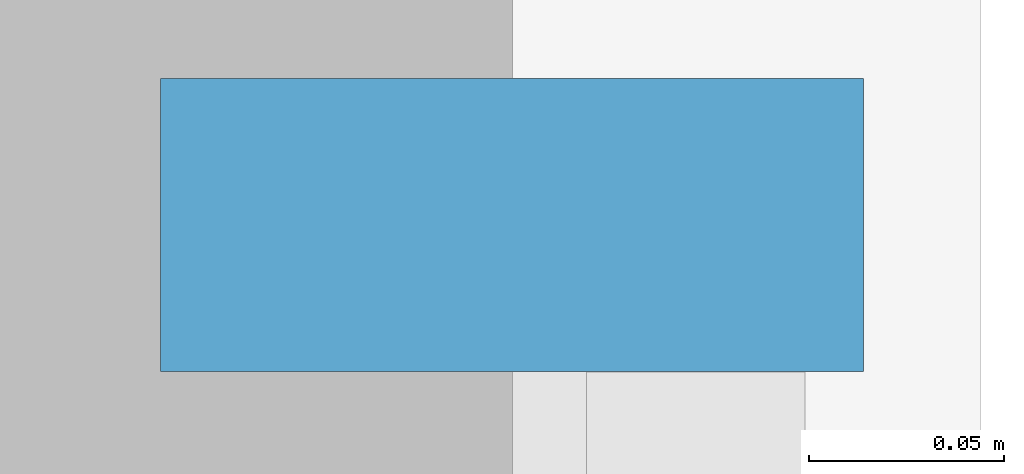
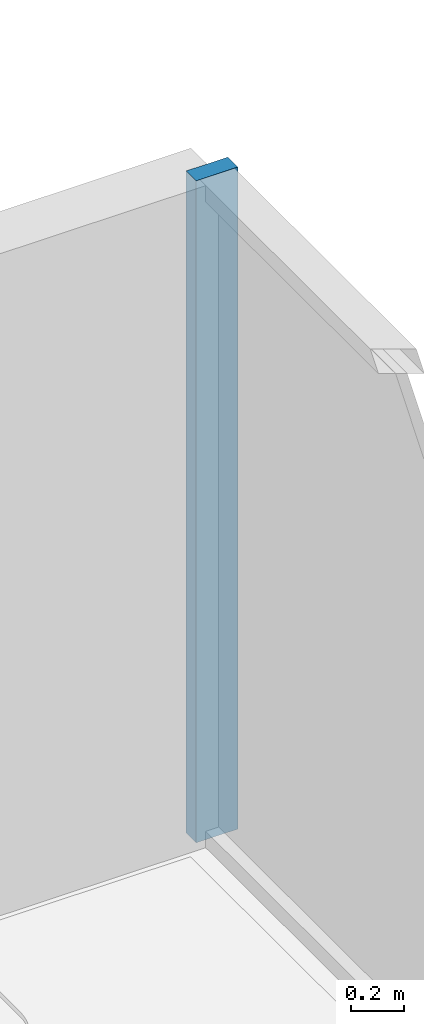
# One storey, part 6 of 13: 1 member, 1 element without a shape of its own.
"""IFC4 building model written with IfcOpenShell, lengths in metres."""

from ifc_helpers import new_model, si_unit, direction, frame, origin, origin_2d, place, context, subcontext, project, spatial, rectangle, extrude, source, transform, mapped, material, layer, layer_set, material_profile, profile_set, type_object, element, aggregate, save


model = new_model("IFC4")

# Units and contexts
model_context = context("Model", 3, precision=1e-05, world=origin(), true_north=direction((0.0, 1.0)))
body_context = subcontext(model_context, "Body", "Model", "MODEL_VIEW")
ifc_project = project(units=[si_unit("LENGTHUNIT", "METRE"), si_unit("AREAUNIT", "SQUARE_METRE"), si_unit("VOLUMEUNIT", "CUBIC_METRE"), si_unit("PLANEANGLEUNIT", "RADIAN"), si_unit("MASSUNIT", "GRAM", prefix="KILO")], contexts=[model_context])

# Site, building, storey
site_placement = place(None, origin())
site = spatial("IfcSite", under=ifc_project, at=site_placement, CompositionType="ELEMENT")
building_placement = place(site_placement, origin())
building = spatial("IfcBuilding", under=site, at=building_placement, Name="Qianlan Lanfeng Residences", CompositionType="ELEMENT")
storey_placement = place(building_placement, frame((0.0, 0.0, 182.10009765625)))
storey = spatial("IfcBuildingStorey", under=building, at=storey_placement, Name="L50", CompositionType="ELEMENT", Elevation=182.10009765625)

# Curtain wall, member
ifc_material = material(Name="Anodised Bronze Aluminium 6063-T6", Category="aluminium")
ifc_layer = layer(ifc_material, 0.219970703125)
ifc_layer_set = layer_set([ifc_layer], Name="Anodised Bronze Aluminium 6063-T6")
curtain_wall_type = type_object("IfcCurtainWallType", Name="CW-04", PredefinedType="NOTDEFINED", material=ifc_layer_set)
curtain_wall_placement = place(storey_placement, origin())
curtain_wall = element("IfcCurtainWall", 1, at=curtain_wall_placement, inside=storey, type_object=curtain_wall_type, Name="L50 Unitised Curtain Wall CWR-L50-05 (CW-04)", PredefinedType="NOTDEFINED")
ifc_material_profile = material_profile(ifc_material, rectangle(XDim=0.074951171875, YDim=0.179931640625, at=origin_2d()), Name="ALU MULLION 75x180")
ifc_profile_set = profile_set([ifc_material_profile], Name="Anodised Bronze Aluminium 6063-T6")
member_type = type_object("IfcMemberType", Name="CWM-180", PredefinedType="MULLION", material=ifc_profile_set)
shared_shape = source(origin(), body_context, "Body", "SweptSolid", [
    extrude(rectangle(XDim=0.074951171875, YDim=0.179931640625, at=origin_2d()), origin(), (0.0, 0.0, 1.0), 3.02978515625),
])
member_placement = place(storey_placement, frame((48.679931640625, 35.892578125, 0.0), z_axis=(0.0, 0.0, 1.0), x_axis=(0.0, 1.0, 0.0)))
member = element("IfcMember", 2, at=member_placement, type_object=member_type, Name="CWR-L50-05 Mullion 3", PredefinedType="MULLION", context=body_context, shape_type="MappedRepresentation", body=[
    mapped(shared_shape, transform((0.0, 0.0, 0.0), scale=1.0)),
])
aggregate(curtain_wall, [member])

save(model, "model.ifc")
